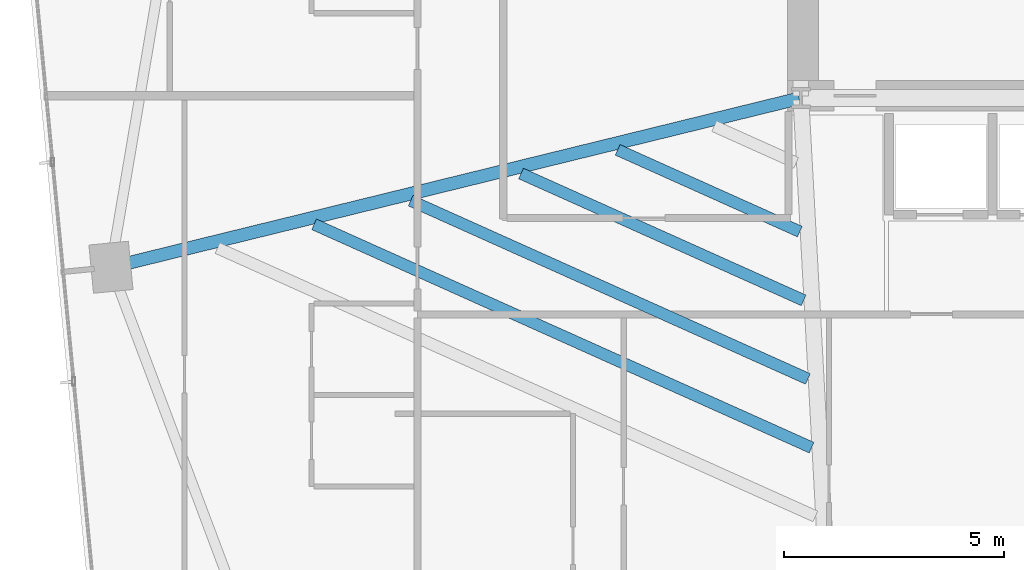
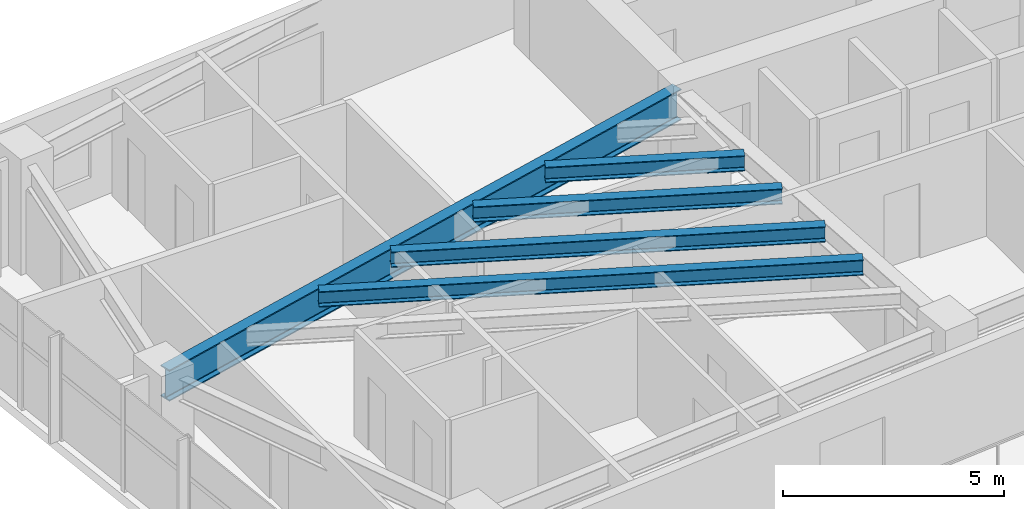
# One storey, part 5 of 27: 5 beams.
"""IFC4 building model written with IfcOpenShell, lengths in metres."""

import ifcopenshell
import ifcopenshell.guid

model = None  # the IFC model being written
_history = None  # IfcOwnerHistory: only IFC2X3 demands one
_inside = {}  # id of a spatial element -> (the spatial element, [elements in it])
_under = {}  # id of a project, library or spatial element -> (it, [spatial elements below it])
_declared = {}  # id of a project -> (the project, [libraries it declares])
_typed = {}  # id of a type object -> (the type object, [elements of that type])
_made_of = {}  # id of a material, layer set ... -> (it, [elements and type objects made of it])


def new_model(schema):
    """Start an empty IFC model of exactly this schema.

    Asked for "IFC4X3", IfcOpenShell would pick the latest addendum, in which some entities
    have other attributes; the version numbers below select the first issue.
    IFC2X3 requires an IfcOwnerHistory on every rooted entity: one is made here for all.
    """
    global model, _history
    if schema == "IFC4X3":
        model = ifcopenshell.file(schema_version=(4, 3, 0, 0))
    else:
        model = ifcopenshell.file(schema=schema)
    _inside.clear()
    _under.clear()
    _declared.clear()
    _typed.clear()
    _made_of.clear()
    _history = None
    if model.schema == "IFC2X3":
        org = make("IfcOrganization", Name="unknown")
        user = make(
            "IfcPersonAndOrganization",
            ThePerson=make("IfcPerson", FamilyName="unknown"),
            TheOrganization=org,
        )
        app = make(
            "IfcApplication",
            ApplicationDeveloper=org,
            Version="unknown",
            ApplicationFullName="unknown",
            ApplicationIdentifier="unknown",
        )
        _history = make(
            "IfcOwnerHistory",
            OwningUser=user,
            OwningApplication=app,
            ChangeAction="ADDED",
            CreationDate=0,
        )
    return model


def make(cls, **values):
    """One entity of the class cls with the attributes given. An attribute that is None is left unset."""
    return model.create_entity(
        cls, **{name: value for name, value in values.items() if value is not None}
    )


def rooted(cls, **values):
    """An entity with a GlobalId (a new one), such as an element, a storey or a relation."""
    return make(cls, GlobalId=ifcopenshell.guid.new(), OwnerHistory=_history, **values)


def si_unit(unit_type, name, prefix=None):
    """IfcSIUnit, for example si_unit("LENGTHUNIT", "METRE", prefix="MILLI")."""
    return make("IfcSIUnit", UnitType=unit_type, Prefix=prefix, Name=name)


def assignment(units):
    """IfcUnitAssignment: the units of a project."""
    return None if units is None else make("IfcUnitAssignment", Units=units)


def point(xyz):
    """IfcCartesianPoint."""
    return None if xyz is None else make("IfcCartesianPoint", Coordinates=xyz)


def direction(xyz):
    """IfcDirection."""
    return None if xyz is None else make("IfcDirection", DirectionRatios=xyz)


def frame(location, z_axis=None, x_axis=None):
    """IfcAxis2Placement3D, a coordinate frame: its origin and axes. An axis left out is left unset."""
    return make(
        "IfcAxis2Placement3D",
        Location=point(location),
        Axis=direction(z_axis),
        RefDirection=direction(x_axis),
    )


def frame_2d(location, x_axis=None):
    """IfcAxis2Placement2D, a coordinate frame in the plane: its origin and x axis."""
    return make(
        "IfcAxis2Placement2D", Location=point(location), RefDirection=direction(x_axis)
    )


def origin():
    """The frame at (0, 0, 0) with its axes left unset."""
    return frame((0.0, 0.0, 0.0))


def origin_2d():
    """The frame at (0, 0) in the plane with its x axis left unset."""
    return frame_2d((0.0, 0.0))


def place(relative_to, where):
    """IfcLocalPlacement: puts the frame where relative to a parent placement (None: the world)."""
    return make(
        "IfcLocalPlacement", PlacementRelTo=relative_to, RelativePlacement=where
    )


def context(
    kind, dimensions, precision=None, world=None, true_north=None, identifier=None
):
    """IfcGeometricRepresentationContext, for example the 3D "Model" context."""
    return make(
        "IfcGeometricRepresentationContext",
        ContextIdentifier=identifier,
        ContextType=kind,
        CoordinateSpaceDimension=dimensions,
        Precision=precision,
        WorldCoordinateSystem=world,
        TrueNorth=true_north,
    )


def subcontext(parent, identifier, kind, view, scale=None):
    """IfcGeometricRepresentationSubContext, for example "Body" below "Model"."""
    return make(
        "IfcGeometricRepresentationSubContext",
        ContextIdentifier=identifier,
        ContextType=kind,
        ParentContext=parent,
        TargetScale=scale,
        TargetView=view,
    )


def project(units=None, contexts=None):
    """IfcProject with its units and contexts."""
    return rooted(
        "IfcProject",
        Name="project",
        RepresentationContexts=contexts,
        UnitsInContext=assignment(units),
    )


def spatial(cls, under=None, at=None, **own):
    """A site, building, storey or space (cls), placed at a placement, below another one or the project."""
    s = rooted(cls, ObjectPlacement=at, **own)
    if under is not None:
        _under.setdefault(under.id(), (under, []))[1].append(s)
    return s


def profile(cls, at=None, kind="AREA", **sizes):
    """A parametric profile (cls). Its sizes go by their IFC names, for example OverallWidth=200.0."""
    return make(cls, ProfileType=kind, Position=at, **sizes)


def i_section(**sizes):
    """IfcIShapeProfileDef."""
    return profile("IfcIShapeProfileDef", **sizes)


def extrude(swept, where, along, depth):
    """IfcExtrudedAreaSolid: the profile swept, set in the frame where, extruded along a direction by depth."""
    return make(
        "IfcExtrudedAreaSolid",
        SweptArea=swept,
        Position=where,
        ExtrudedDirection=direction(along),
        Depth=depth,
    )


def shape(context_of_items, identifier, shape_type, items):
    """IfcShapeRepresentation: the items that make up one representation, for example the "Body"."""
    return make(
        "IfcShapeRepresentation",
        ContextOfItems=context_of_items,
        RepresentationIdentifier=identifier,
        RepresentationType=shape_type,
        Items=items,
    )


def source(mapping_origin, context_of_items, identifier, shape_type, items):
    """IfcRepresentationMap: a shape defined once, which mapped items show again and again."""
    return make(
        "IfcRepresentationMap",
        MappingOrigin=mapping_origin,
        MappedRepresentation=shape(context_of_items, identifier, shape_type, items),
    )


def transform(
    local_origin,
    x_axis=None,
    y_axis=None,
    z_axis=None,
    scale=None,
    scale2=None,
    scale3=None,
    uniform=True,
):
    """IfcCartesianTransformationOperator3D, or its non-uniform kind. x_axis, y_axis, z_axis: its Axis1, 2, 3."""
    if uniform:
        return make(
            "IfcCartesianTransformationOperator3D",
            Axis1=direction(x_axis),
            Axis2=direction(y_axis),
            LocalOrigin=point(local_origin),
            Scale=scale,
            Axis3=direction(z_axis),
        )
    return make(
        "IfcCartesianTransformationOperator3DnonUniform",
        Axis1=direction(x_axis),
        Axis2=direction(y_axis),
        LocalOrigin=point(local_origin),
        Scale=scale,
        Axis3=direction(z_axis),
        Scale2=scale2,
        Scale3=scale3,
    )


def mapped(mapping_source, mapping_target):
    """IfcMappedItem: shows the shape of a source again, moved by a transform."""
    return make(
        "IfcMappedItem", MappingSource=mapping_source, MappingTarget=mapping_target
    )


def material(Name=None, Category=None):
    """IfcMaterial."""
    return make("IfcMaterial", Name=Name, Category=Category)


def material_profile(
    of_material, cross_section, Name=None, Category=None, Priority=None
):
    """IfcMaterialProfile: a cross section and its material."""
    return make(
        "IfcMaterialProfile",
        Name=Name,
        Material=of_material,
        Profile=cross_section,
        Priority=Priority,
        Category=Category,
    )


def profile_set(profiles, Name=None, composite=None):
    """IfcMaterialProfileSet."""
    return make(
        "IfcMaterialProfileSet",
        Name=Name,
        MaterialProfiles=profiles,
        CompositeProfile=composite,
    )


def made_of(thing, what):
    """Note that an element or type object is made of a material, layer set ...; save() writes the relation."""
    if what is not None:
        _made_of.setdefault(what.id(), (what, []))[1].append(thing)
    return thing


def type_object(cls, material=None, **own):
    """A type object (cls), such as IfcWallType, which elements share."""
    return made_of(rooted(cls, **own), material)


def type_shapes(of_type, sources):
    """Give a type object the sources (RepresentationMaps) that its elements show as mapped items."""
    of_type.RepresentationMaps = sources


def element(
    cls,
    number,
    at=None,
    inside=None,
    cuts=None,
    type_object=None,
    material=None,
    context=None,
    identifier="Body",
    shape_type=None,
    held_by="IfcProductDefinitionShape",
    body=None,
    shapes=None,
    **own,
):
    """One element of the class cls, such as IfcWall. Its Tag is "e" and its number.

    at: its placement. inside: the storey or other place that contains it. cuts: it is an
    opening in that element (IfcRelVoidsElement). A single representation is given by context,
    identifier, shape_type and body (its items); several are given by shapes. held_by: the class
    of the entity that holds the representations. save() writes the other relations.
    """
    e = rooted(cls, Tag="e%d" % number, ObjectPlacement=at, **own)
    if body is not None:
        shapes = [shape(context, identifier, shape_type, body)]
    if shapes is not None:
        e.Representation = make(held_by, Representations=shapes)
    if inside is not None:
        _inside.setdefault(inside.id(), (inside, []))[1].append(e)
    if cuts is not None:
        rooted(
            "IfcRelVoidsElement", RelatingBuildingElement=cuts, RelatedOpeningElement=e
        )
    if type_object is not None:
        _typed.setdefault(type_object.id(), (type_object, []))[1].append(e)
    return made_of(e, material)


def aggregate(whole, parts):
    """IfcRelAggregates: a whole, such as a stair, and the parts it consists of."""
    return rooted("IfcRelAggregates", RelatingObject=whole, RelatedObjects=parts)


def save(model, path):
    """Write the relations noted so far, then the file.

    IfcRelAggregates (storeys below a building ...), IfcRelContainedInSpatialStructure (elements
    in a storey), IfcRelDefinesByType, IfcRelAssociatesMaterial and IfcRelDeclares: one each for
    every whole, place, type object, material and project.
    """
    for whole, parts in _under.values():
        aggregate(whole, parts)
    for where, things in _inside.values():
        rooted(
            "IfcRelContainedInSpatialStructure",
            RelatedElements=things,
            RelatingStructure=where,
        )
    for kind, things in _typed.values():
        rooted("IfcRelDefinesByType", RelatedObjects=things, RelatingType=kind)
    for what, things in _made_of.values():
        rooted("IfcRelAssociatesMaterial", RelatedObjects=things, RelatingMaterial=what)
    for by, libraries in _declared.values():
        rooted("IfcRelDeclares", RelatingContext=by, RelatedDefinitions=libraries)
    model.write(path)


model = new_model("IFC4")

# Units and contexts
model_context = context("Model", 3, precision=1e-05, world=origin(), true_north=direction((0.0, 1.0)))
body_context = subcontext(model_context, "Body", "Model", "MODEL_VIEW")
ifc_project = project(units=[si_unit("LENGTHUNIT", "METRE"), si_unit("AREAUNIT", "SQUARE_METRE"), si_unit("VOLUMEUNIT", "CUBIC_METRE"), si_unit("PLANEANGLEUNIT", "RADIAN"), si_unit("MASSUNIT", "GRAM", prefix="KILO")], contexts=[model_context])

# Site, building, storey
site_placement = place(None, origin())
site = spatial("IfcSite", under=ifc_project, at=site_placement, CompositionType="ELEMENT")
building_placement = place(site_placement, origin())
building = spatial("IfcBuilding", under=site, at=building_placement, Name="Astriad Promenade Condominiums", CompositionType="ELEMENT")
storey_placement = place(building_placement, frame((0.0, 0.0, 87.39990234375)))
storey = spatial("IfcBuildingStorey", under=building, at=storey_placement, Name="L24", CompositionType="ELEMENT", Elevation=87.39990234375)

# Beams
ifc_material = material(Name="Steel ASTM A992 Grade 50", Category="steel")
ifc_material_profile_1 = material_profile(ifc_material, i_section(OverallWidth=0.2919921875, OverallDepth=0.85888671875, WebThickness=0.01708984375, FlangeThickness=0.031005859375, FilletRadius=0.02294921875, at=origin_2d()), Name="W33X169")
ifc_profile_set_1 = profile_set([ifc_material_profile_1], Name="Steel ASTM A992 Grade 50")
beam_type_1 = type_object("IfcBeamType", Name="STEEL PRIMARY GIRDER W33X169", PredefinedType="BEAM", material=ifc_profile_set_1)
shared_shape_1 = source(origin(), body_context, "Body", "SweptSolid", [
    extrude(i_section(OverallWidth=0.2919921875, OverallDepth=0.85888671875, WebThickness=0.01708984375, FlangeThickness=0.031005859375, FilletRadius=0.02294921875, at=origin_2d()), origin(), (0.0, 0.0, 1.0), 16.032470703125),
])
type_shapes(beam_type_1, [shared_shape_1])
beam_1_placement = place(storey_placement, frame((10.790283203125, 13.5703125, 2.510498046875), z_axis=(0.971199076901, 0.238269496633, 0.0), x_axis=(-0.238269496633, 0.971199076901, 0.0)))
element("IfcBeam", 1, at=beam_1_placement, inside=storey, type_object=beam_type_1, Name="Primary Floor Girder PG-WM-L24", PredefinedType="BEAM", context=body_context, shape_type="MappedRepresentation", body=[
    mapped(shared_shape_1, transform((0.0, 0.0, 0.0), scale=1.0)),
])
ifc_material_profile_2 = material_profile(ifc_material, i_section(OverallWidth=0.26318359375, OverallDepth=0.425537109375, WebThickness=0.01318359375, FlangeThickness=0.022216796875, FilletRadius=0.013916015625, at=origin_2d()), Name="W16X89")
ifc_profile_set_2 = profile_set([ifc_material_profile_2], Name="Steel ASTM A992 Grade 50")
beam_type_2 = type_object("IfcBeamType", Name="STEEL FLOOR JOIST W16X89", PredefinedType="JOIST", material=ifc_profile_set_2)
shared_shape_2 = source(origin(), body_context, "Body", "SweptSolid", [
    extrude(i_section(OverallWidth=0.26318359375, OverallDepth=0.425537109375, WebThickness=0.01318359375, FlangeThickness=0.022216796875, FilletRadius=0.013916015625, at=origin_2d()), origin(), (0.0, 0.0, 1.0), 12.369140625),
])
beam_2_placement = place(storey_placement, frame((15.35888671875, 14.534423828125, 2.727294921875), z_axis=(0.91230851279, -0.409503574454, 0.0), x_axis=(0.409503574454, 0.91230851279, 0.0)))
element("IfcBeam", 2, at=beam_2_placement, inside=storey, type_object=beam_type_2, Name="Secondary Composite Floor Joist JW1-2-L24", PredefinedType="JOIST", context=body_context, shape_type="MappedRepresentation", body=[
    mapped(shared_shape_2, transform((0.0, 0.0, 0.0), scale=1.0)),
])
shared_shape_3 = source(origin(), body_context, "Body", "SweptSolid", [
    extrude(i_section(OverallWidth=0.26318359375, OverallDepth=0.425537109375, WebThickness=0.01318359375, FlangeThickness=0.022216796875, FilletRadius=0.013916015625, at=origin_2d()), origin(), (0.0, 0.0, 1.0), 9.875),
])
beam_3_placement = place(storey_placement, frame((17.549560546875, 15.072021484375, 2.727294921875), z_axis=(0.912313833055, -0.409491721549, 0.0), x_axis=(0.409491721549, 0.912313833055, 0.0)))
element("IfcBeam", 3, at=beam_3_placement, inside=storey, type_object=beam_type_2, Name="Secondary Composite Floor Joist JW1-3-L24", PredefinedType="JOIST", context=body_context, shape_type="MappedRepresentation", body=[
    mapped(shared_shape_3, transform((0.0, 0.0, 0.0), scale=1.0)),
])
shared_shape_4 = source(origin(), body_context, "Body", "SweptSolid", [
    extrude(i_section(OverallWidth=0.26318359375, OverallDepth=0.425537109375, WebThickness=0.01318359375, FlangeThickness=0.022216796875, FilletRadius=0.013916015625, at=origin_2d()), origin(), (0.0, 0.0, 1.0), 7.024169921875),
])
beam_4_placement = place(storey_placement, frame((20.053466796875, 15.686279296875, 2.727294921875), z_axis=(0.912306106293, -0.409508935703, 0.0), x_axis=(0.409508935703, 0.912306106293, 0.0)))
element("IfcBeam", 4, at=beam_4_placement, inside=storey, type_object=beam_type_2, Name="Secondary Composite Floor Joist JW1-4-L24", PredefinedType="JOIST", context=body_context, shape_type="MappedRepresentation", body=[
    mapped(shared_shape_4, transform((0.0, 0.0, 0.0), scale=1.0)),
])
shared_shape_5 = source(origin(), body_context, "Body", "SweptSolid", [
    extrude(i_section(OverallWidth=0.26318359375, OverallDepth=0.425537109375, WebThickness=0.01318359375, FlangeThickness=0.022216796875, FilletRadius=0.013916015625, at=origin_2d()), origin(), (0.0, 0.0, 1.0), 4.52978515625),
])
type_shapes(beam_type_2, [shared_shape_2, shared_shape_3, shared_shape_4, shared_shape_5])
beam_5_placement = place(storey_placement, frame((22.244140625, 16.2236328125, 2.727294921875), z_axis=(0.912307341368, -0.409506184186, 0.0), x_axis=(0.409506184186, 0.912307341368, 0.0)))
element("IfcBeam", 5, at=beam_5_placement, inside=storey, type_object=beam_type_2, Name="Secondary Composite Floor Joist JW1-5-L24", PredefinedType="JOIST", context=body_context, shape_type="MappedRepresentation", body=[
    mapped(shared_shape_5, transform((0.0, 0.0, 0.0), scale=1.0)),
])

save(model, "model.ifc")
